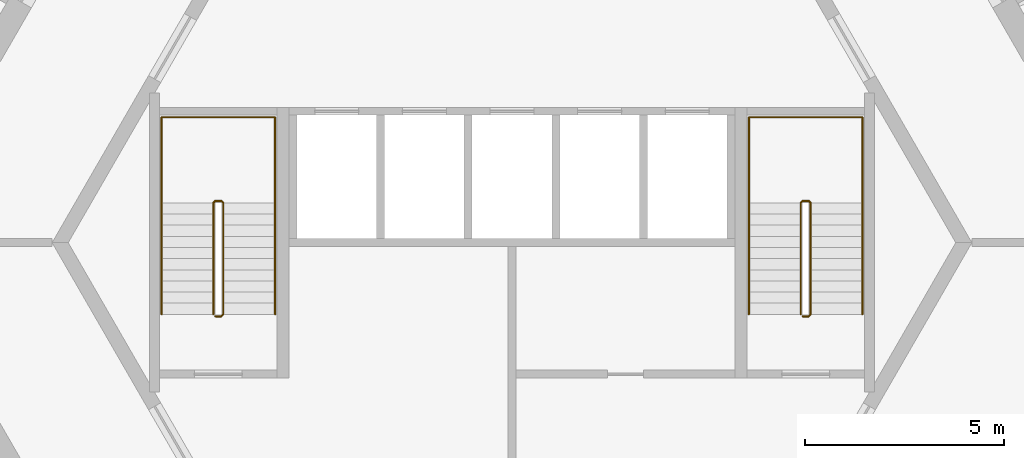
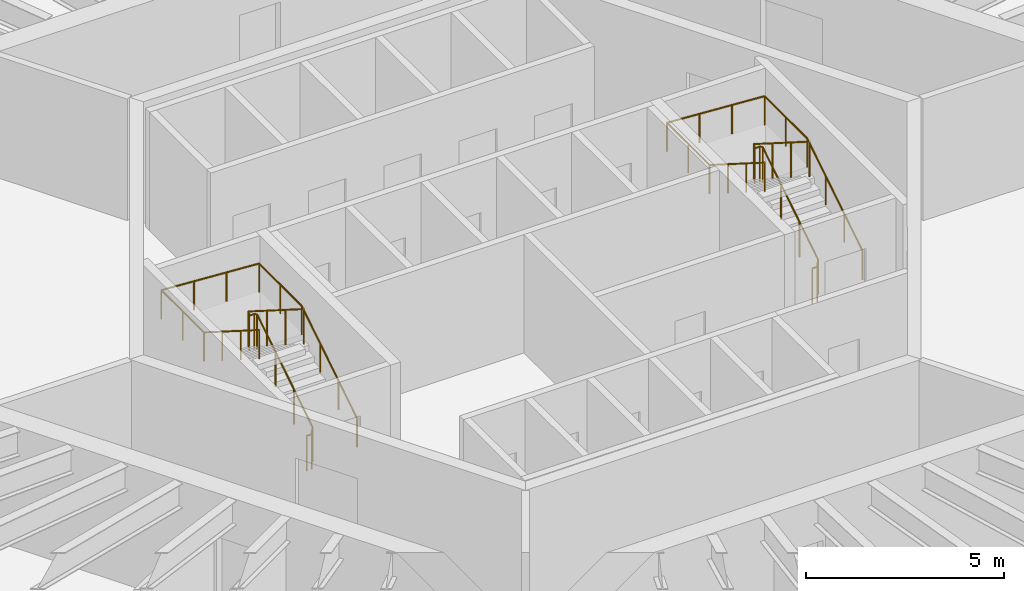
# One storey, part 12 of 12: 4 railings.
"""IFC4 building model written with IfcOpenShell, lengths in metres."""

from ifc_helpers import new_model, si_unit, direction, frame, origin, origin_2d, place, context, subcontext, project, spatial, circle, extrude, material, type_object, element, save


model = new_model("IFC4")

# Units and contexts
model_context = context("Model", 3, precision=1e-05, world=origin(), true_north=direction((0.0, 1.0)))
body_context = subcontext(model_context, "Body", "Model", "MODEL_VIEW")
ifc_project = project(units=[si_unit("LENGTHUNIT", "METRE"), si_unit("AREAUNIT", "SQUARE_METRE"), si_unit("VOLUMEUNIT", "CUBIC_METRE"), si_unit("PLANEANGLEUNIT", "RADIAN"), si_unit("MASSUNIT", "GRAM", prefix="KILO")], contexts=[model_context])

# Site, building, storey
site_placement = place(None, origin())
site = spatial("IfcSite", under=ifc_project, at=site_placement, CompositionType="ELEMENT")
building_placement = place(site_placement, origin())
building = spatial("IfcBuilding", under=site, at=building_placement, Name="Tarnside Tower", CompositionType="ELEMENT")
storey_placement = place(building_placement, frame((0.0, 0.0, 127.199951171875)))
storey = spatial("IfcBuildingStorey", under=building, at=storey_placement, Name="L29", CompositionType="ELEMENT", Elevation=127.199951171875)

# Railings
ifc_material = material(Name="Stainless steel", Category="steel")
railing_type_1 = type_object("IfcRailingType", Name="Stair guard 1100", PredefinedType="GUARDRAIL", material=ifc_material)
railing_1_placement = place(storey_placement, frame((7.300048828125, -1.85009765625, 0.0)))
element("IfcRailing", 1, at=railing_1_placement, inside=storey, type_object=railing_type_1, Name="L29 ST1 stair guard 1", PredefinedType="GUARDRAIL", context=body_context, shape_type="SweptSolid", body=[
    extrude(circle(Radius=0.02392578125, at=origin_2d()), frame((0.0, 0.0, 1.076171875), z_axis=(1.0, 0.0, 0.0), x_axis=(0.0, 1.0, 0.0)), (0.0, 0.0, 1.0), 0.14990234375),
    extrude(circle(Radius=0.02392578125, at=origin_2d()), frame((0.14990234375, 0.0, 1.076171875), z_axis=(0.262233686654, 0.262233686654, 0.928691007369), x_axis=(-0.707106781187, 0.707106781187, 0.0)), (0.0, 0.0, 1.0), 0.19091796875),
    extrude(circle(Radius=0.02392578125, at=origin_2d()), frame((0.199951171875, 0.050048828125, 1.25341796875), z_axis=(0.0, 0.844908973607, 0.534910110503), x_axis=(-1.0, 0.0, 0.0)), (0.0, 0.0, 1.0), 3.31396484375),
    extrude(circle(Radius=0.02392578125, at=origin_2d()), frame((0.199951171875, 2.85009765625, 3.02587890625), z_axis=(-0.707106781187, 0.707106781187, 0.0), x_axis=(-0.707106781187, -0.707106781187, 0.0)), (0.0, 0.0, 1.0), 0.07080078125),
    extrude(circle(Radius=0.02392578125, at=origin_2d()), frame((0.14990234375, 2.900146484375, 3.02587890625), z_axis=(-1.0, 0.0, 0.0), x_axis=(0.0, -1.0, 0.0)), (0.0, 0.0, 1.0), 0.14990234375),
    extrude(circle(Radius=0.02392578125, at=origin_2d()), frame((0.0, 2.900146484375, 3.02587890625), z_axis=(-0.261922500866, -0.261922500866, 0.928866625022), x_axis=(0.707106781187, -0.707106781187, 0.0)), (0.0, 0.0, 1.0), 0.191162109375),
    extrude(circle(Radius=0.02392578125, at=origin_2d()), frame((-0.050048828125, 2.85009765625, 3.20361328125), z_axis=(0.0, -0.844908973607, 0.534910110503), x_axis=(1.0, 0.0, 0.0)), (0.0, 0.0, 1.0), 3.31396484375),
    extrude(circle(Radius=0.02099609375, at=origin_2d()), origin(), (0.0, 0.0, 1.0), 1.052001953125),
    extrude(circle(Radius=0.02099609375, at=origin_2d()), frame((0.14990234375, 0.0, 0.0)), (0.0, 0.0, 1.0), 1.052001953125),
    extrude(circle(Radius=0.02099609375, at=origin_2d()), frame((0.199951171875, 0.050048828125, 0.17724609375)), (0.0, 0.0, 1.0), 1.052001953125),
    extrude(circle(Radius=0.02099609375, at=origin_2d()), frame((0.199951171875, 0.9833984375, 0.76806640625)), (0.0, 0.0, 1.0), 1.052001953125),
    extrude(circle(Radius=0.02099609375, at=origin_2d()), frame((0.199951171875, 1.916748046875, 1.359130859375)), (0.0, 0.0, 1.0), 1.052001953125),
    extrude(circle(Radius=0.02099609375, at=origin_2d()), frame((0.199951171875, 2.85009765625, 1.949951171875)), (0.0, 0.0, 1.0), 1.052001953125),
    extrude(circle(Radius=0.02099609375, at=origin_2d()), frame((0.14990234375, 2.900146484375, 1.949951171875)), (0.0, 0.0, 1.0), 1.052001953125),
    extrude(circle(Radius=0.02099609375, at=origin_2d()), frame((0.0, 2.900146484375, 1.949951171875)), (0.0, 0.0, 1.0), 1.052001953125),
    extrude(circle(Radius=0.02099609375, at=origin_2d()), frame((-0.050048828125, 2.85009765625, 2.12744140625)), (0.0, 0.0, 1.0), 1.052001953125),
    extrude(circle(Radius=0.02099609375, at=origin_2d()), frame((-0.050048828125, 1.916748046875, 2.71826171875)), (0.0, 0.0, 1.0), 1.052001953125),
    extrude(circle(Radius=0.02099609375, at=origin_2d()), frame((-0.050048828125, 0.9833984375, 3.309326171875)), (0.0, 0.0, 1.0), 1.052001953125),
    extrude(circle(Radius=0.02099609375, at=origin_2d()), frame((-0.050048828125, 0.050048828125, 3.900146484375)), (0.0, 0.0, 1.0), 1.052001953125),
])
railing_2_placement = place(storey_placement, frame((-7.449951171875, -1.85009765625, 0.0)))
element("IfcRailing", 2, at=railing_2_placement, inside=storey, type_object=railing_type_1, Name="L29 ST2 stair guard 1", PredefinedType="GUARDRAIL", context=body_context, shape_type="SweptSolid", body=[
    extrude(circle(Radius=0.02392578125, at=origin_2d()), frame((0.0, 0.0, 1.076171875), z_axis=(1.0, 0.0, 0.0), x_axis=(0.0, 1.0, 0.0)), (0.0, 0.0, 1.0), 0.14990234375),
    extrude(circle(Radius=0.02392578125, at=origin_2d()), frame((0.14990234375, 0.0, 1.076171875), z_axis=(0.262233686654, 0.262233686654, 0.928691007369), x_axis=(-0.707106781187, 0.707106781187, 0.0)), (0.0, 0.0, 1.0), 0.19091796875),
    extrude(circle(Radius=0.02392578125, at=origin_2d()), frame((0.199951171875, 0.050048828125, 1.25341796875), z_axis=(0.0, 0.844908973607, 0.534910110503), x_axis=(-1.0, 0.0, 0.0)), (0.0, 0.0, 1.0), 3.31396484375),
    extrude(circle(Radius=0.02392578125, at=origin_2d()), frame((0.199951171875, 2.85009765625, 3.02587890625), z_axis=(-0.707106781187, 0.707106781187, 0.0), x_axis=(-0.707106781187, -0.707106781187, 0.0)), (0.0, 0.0, 1.0), 0.07080078125),
    extrude(circle(Radius=0.02392578125, at=origin_2d()), frame((0.14990234375, 2.900146484375, 3.02587890625), z_axis=(-1.0, 0.0, 0.0), x_axis=(0.0, -1.0, 0.0)), (0.0, 0.0, 1.0), 0.14990234375),
    extrude(circle(Radius=0.02392578125, at=origin_2d()), frame((0.0, 2.900146484375, 3.02587890625), z_axis=(-0.261922500866, -0.261922500866, 0.928866625022), x_axis=(0.707106781187, -0.707106781187, 0.0)), (0.0, 0.0, 1.0), 0.191162109375),
    extrude(circle(Radius=0.02392578125, at=origin_2d()), frame((-0.050048828125, 2.85009765625, 3.20361328125), z_axis=(0.0, -0.844908973607, 0.534910110503), x_axis=(1.0, 0.0, 0.0)), (0.0, 0.0, 1.0), 3.31396484375),
    extrude(circle(Radius=0.02099609375, at=origin_2d()), origin(), (0.0, 0.0, 1.0), 1.052001953125),
    extrude(circle(Radius=0.02099609375, at=origin_2d()), frame((0.14990234375, 0.0, 0.0)), (0.0, 0.0, 1.0), 1.052001953125),
    extrude(circle(Radius=0.02099609375, at=origin_2d()), frame((0.199951171875, 0.050048828125, 0.17724609375)), (0.0, 0.0, 1.0), 1.052001953125),
    extrude(circle(Radius=0.02099609375, at=origin_2d()), frame((0.199951171875, 0.9833984375, 0.76806640625)), (0.0, 0.0, 1.0), 1.052001953125),
    extrude(circle(Radius=0.02099609375, at=origin_2d()), frame((0.199951171875, 1.916748046875, 1.359130859375)), (0.0, 0.0, 1.0), 1.052001953125),
    extrude(circle(Radius=0.02099609375, at=origin_2d()), frame((0.199951171875, 2.85009765625, 1.949951171875)), (0.0, 0.0, 1.0), 1.052001953125),
    extrude(circle(Radius=0.02099609375, at=origin_2d()), frame((0.14990234375, 2.900146484375, 1.949951171875)), (0.0, 0.0, 1.0), 1.052001953125),
    extrude(circle(Radius=0.02099609375, at=origin_2d()), frame((0.0, 2.900146484375, 1.949951171875)), (0.0, 0.0, 1.0), 1.052001953125),
    extrude(circle(Radius=0.02099609375, at=origin_2d()), frame((-0.050048828125, 2.85009765625, 2.12744140625)), (0.0, 0.0, 1.0), 1.052001953125),
    extrude(circle(Radius=0.02099609375, at=origin_2d()), frame((-0.050048828125, 1.916748046875, 2.71826171875)), (0.0, 0.0, 1.0), 1.052001953125),
    extrude(circle(Radius=0.02099609375, at=origin_2d()), frame((-0.050048828125, 0.9833984375, 3.309326171875)), (0.0, 0.0, 1.0), 1.052001953125),
    extrude(circle(Radius=0.02099609375, at=origin_2d()), frame((-0.050048828125, 0.050048828125, 3.900146484375)), (0.0, 0.0, 1.0), 1.052001953125),
])
railing_type_2 = type_object("IfcRailingType", Name="Stair handrail 900", PredefinedType="HANDRAIL", material=ifc_material)
railing_3_placement = place(storey_placement, frame((8.800048828125, -1.800048828125, 0.17724609375)))
element("IfcRailing", 3, at=railing_3_placement, inside=storey, type_object=railing_type_2, Name="L29 ST1 stair handrail 1", PredefinedType="HANDRAIL", context=body_context, shape_type="SweptSolid", body=[
    extrude(circle(Radius=0.02392578125, at=origin_2d()), frame((0.0, 0.0, 0.8857421875), z_axis=(0.0, 0.844908973607, 0.534910110503), x_axis=(-1.0, 0.0, 0.0)), (0.0, 0.0, 1.0), 3.31396484375),
    extrude(circle(Radius=0.02392578125, at=origin_2d()), frame((0.0, 2.800048828125, 2.65869140625), z_axis=(0.0, 1.0, 0.0), x_axis=(-1.0, 0.0, 0.0)), (0.0, 0.0, 1.0), 2.14990234375),
    extrude(circle(Radius=0.02392578125, at=origin_2d()), frame((0.0, 4.949951171875, 2.65869140625), z_axis=(-0.998066525363, 0.0, 0.062154733933), x_axis=(0.0, -1.0, 0.0)), (0.0, 0.0, 1.0), 2.855712890625),
    extrude(circle(Radius=0.02392578125, at=origin_2d()), frame((-2.85009765625, 4.949951171875, 2.8359375), z_axis=(0.0, -1.0, 0.0), x_axis=(1.0, 0.0, 0.0)), (0.0, 0.0, 1.0), 2.14990234375),
    extrude(circle(Radius=0.02392578125, at=origin_2d()), frame((-2.85009765625, 2.800048828125, 2.8359375), z_axis=(0.0, -0.844908973607, 0.534910110503), x_axis=(1.0, 0.0, 0.0)), (0.0, 0.0, 1.0), 3.31396484375),
    extrude(circle(Radius=0.02099609375, at=origin_2d()), origin(), (0.0, 0.0, 1.0), 0.86181640625),
    extrude(circle(Radius=0.02099609375, at=origin_2d()), frame((0.0, 0.933349609375, 0.5908203125)), (0.0, 0.0, 1.0), 0.86181640625),
    extrude(circle(Radius=0.02099609375, at=origin_2d()), frame((0.0, 1.86669921875, 1.181884765625)), (0.0, 0.0, 1.0), 0.86181640625),
    extrude(circle(Radius=0.02099609375, at=origin_2d()), frame((0.0, 2.800048828125, 1.772705078125)), (0.0, 0.0, 1.0), 0.86181640625),
    extrude(circle(Radius=0.02099609375, at=origin_2d()), frame((0.0, 3.875, 1.772705078125)), (0.0, 0.0, 1.0), 0.86181640625),
    extrude(circle(Radius=0.02099609375, at=origin_2d()), frame((0.0, 4.949951171875, 1.772705078125)), (0.0, 0.0, 1.0), 0.86181640625),
    extrude(circle(Radius=0.02099609375, at=origin_2d()), frame((-0.949951171875, 4.949951171875, 1.831787109375)), (0.0, 0.0, 1.0), 0.86181640625),
    extrude(circle(Radius=0.02099609375, at=origin_2d()), frame((-1.900146484375, 4.949951171875, 1.89111328125)), (0.0, 0.0, 1.0), 0.86181640625),
    extrude(circle(Radius=0.02099609375, at=origin_2d()), frame((-2.85009765625, 4.949951171875, 1.9501953125)), (0.0, 0.0, 1.0), 0.86181640625),
    extrude(circle(Radius=0.02099609375, at=origin_2d()), frame((-2.85009765625, 3.875, 1.9501953125)), (0.0, 0.0, 1.0), 0.86181640625),
    extrude(circle(Radius=0.02099609375, at=origin_2d()), frame((-2.85009765625, 2.800048828125, 1.9501953125)), (0.0, 0.0, 1.0), 0.86181640625),
    extrude(circle(Radius=0.02099609375, at=origin_2d()), frame((-2.85009765625, 1.86669921875, 2.541015625)), (0.0, 0.0, 1.0), 0.86181640625),
    extrude(circle(Radius=0.02099609375, at=origin_2d()), frame((-2.85009765625, 0.933349609375, 3.132080078125)), (0.0, 0.0, 1.0), 0.86181640625),
    extrude(circle(Radius=0.02099609375, at=origin_2d()), frame((-2.85009765625, 0.0, 3.722900390625)), (0.0, 0.0, 1.0), 0.86181640625),
])
railing_4_placement = place(storey_placement, frame((-5.949951171875, -1.800048828125, 0.17724609375)))
element("IfcRailing", 4, at=railing_4_placement, inside=storey, type_object=railing_type_2, Name="L29 ST2 stair handrail 1", PredefinedType="HANDRAIL", context=body_context, shape_type="SweptSolid", body=[
    extrude(circle(Radius=0.02392578125, at=origin_2d()), frame((0.0, 0.0, 0.8857421875), z_axis=(0.0, 0.844908973607, 0.534910110503), x_axis=(-1.0, 0.0, 0.0)), (0.0, 0.0, 1.0), 3.31396484375),
    extrude(circle(Radius=0.02392578125, at=origin_2d()), frame((0.0, 2.800048828125, 2.65869140625), z_axis=(0.0, 1.0, 0.0), x_axis=(-1.0, 0.0, 0.0)), (0.0, 0.0, 1.0), 2.14990234375),
    extrude(circle(Radius=0.02392578125, at=origin_2d()), frame((0.0, 4.949951171875, 2.65869140625), z_axis=(-0.998066525363, 0.0, 0.062154733933), x_axis=(0.0, -1.0, 0.0)), (0.0, 0.0, 1.0), 2.855712890625),
    extrude(circle(Radius=0.02392578125, at=origin_2d()), frame((-2.85009765625, 4.949951171875, 2.8359375), z_axis=(0.0, -1.0, 0.0), x_axis=(1.0, 0.0, 0.0)), (0.0, 0.0, 1.0), 2.14990234375),
    extrude(circle(Radius=0.02392578125, at=origin_2d()), frame((-2.85009765625, 2.800048828125, 2.8359375), z_axis=(0.0, -0.844908973607, 0.534910110503), x_axis=(1.0, 0.0, 0.0)), (0.0, 0.0, 1.0), 3.31396484375),
    extrude(circle(Radius=0.02099609375, at=origin_2d()), origin(), (0.0, 0.0, 1.0), 0.86181640625),
    extrude(circle(Radius=0.02099609375, at=origin_2d()), frame((0.0, 0.933349609375, 0.5908203125)), (0.0, 0.0, 1.0), 0.86181640625),
    extrude(circle(Radius=0.02099609375, at=origin_2d()), frame((0.0, 1.86669921875, 1.181884765625)), (0.0, 0.0, 1.0), 0.86181640625),
    extrude(circle(Radius=0.02099609375, at=origin_2d()), frame((0.0, 2.800048828125, 1.772705078125)), (0.0, 0.0, 1.0), 0.86181640625),
    extrude(circle(Radius=0.02099609375, at=origin_2d()), frame((0.0, 3.875, 1.772705078125)), (0.0, 0.0, 1.0), 0.86181640625),
    extrude(circle(Radius=0.02099609375, at=origin_2d()), frame((0.0, 4.949951171875, 1.772705078125)), (0.0, 0.0, 1.0), 0.86181640625),
    extrude(circle(Radius=0.02099609375, at=origin_2d()), frame((-0.949951171875, 4.949951171875, 1.831787109375)), (0.0, 0.0, 1.0), 0.86181640625),
    extrude(circle(Radius=0.02099609375, at=origin_2d()), frame((-1.900146484375, 4.949951171875, 1.89111328125)), (0.0, 0.0, 1.0), 0.86181640625),
    extrude(circle(Radius=0.02099609375, at=origin_2d()), frame((-2.85009765625, 4.949951171875, 1.9501953125)), (0.0, 0.0, 1.0), 0.86181640625),
    extrude(circle(Radius=0.02099609375, at=origin_2d()), frame((-2.85009765625, 3.875, 1.9501953125)), (0.0, 0.0, 1.0), 0.86181640625),
    extrude(circle(Radius=0.02099609375, at=origin_2d()), frame((-2.85009765625, 2.800048828125, 1.9501953125)), (0.0, 0.0, 1.0), 0.86181640625),
    extrude(circle(Radius=0.02099609375, at=origin_2d()), frame((-2.85009765625, 1.86669921875, 2.541015625)), (0.0, 0.0, 1.0), 0.86181640625),
    extrude(circle(Radius=0.02099609375, at=origin_2d()), frame((-2.85009765625, 0.933349609375, 3.132080078125)), (0.0, 0.0, 1.0), 0.86181640625),
    extrude(circle(Radius=0.02099609375, at=origin_2d()), frame((-2.85009765625, 0.0, 3.722900390625)), (0.0, 0.0, 1.0), 0.86181640625),
])

save(model, "model.ifc")
